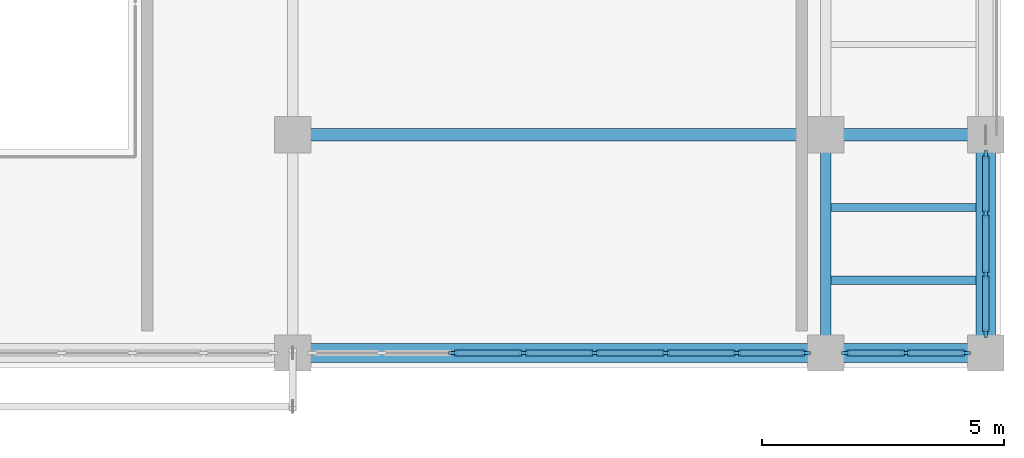
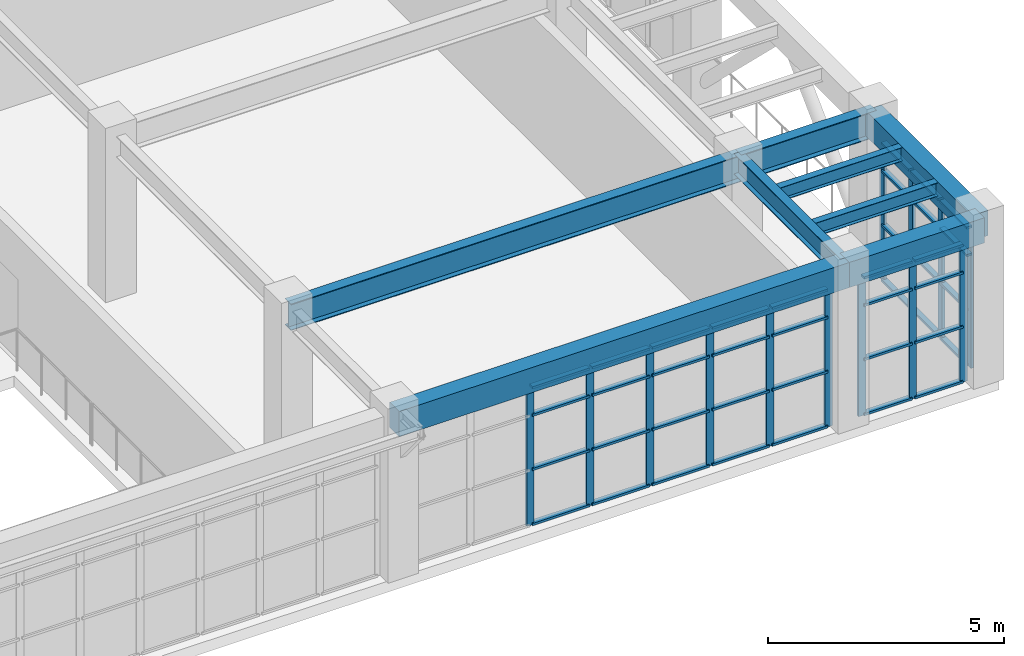
# One storey, part 39 of 85: 53 members, 8 beams, 3 elements without a shape of their own.
"""IFC4 building model written with IfcOpenShell, lengths in metres."""

from ifc_helpers import new_model, si_unit, direction, frame, origin, origin_2d, place, context, subcontext, project, spatial, rectangle, i_section, extrude, material, layer, layer_set, material_profile, profile_set, type_object, element, aggregate, save


model = new_model("IFC4")

# Units and contexts
model_context = context("Model", 3, precision=1e-05, world=origin(), true_north=direction((0.0, 1.0)))
body_context = subcontext(model_context, "Body", "Model", "MODEL_VIEW")
ifc_project = project(units=[si_unit("LENGTHUNIT", "METRE"), si_unit("AREAUNIT", "SQUARE_METRE"), si_unit("VOLUMEUNIT", "CUBIC_METRE"), si_unit("PLANEANGLEUNIT", "RADIAN"), si_unit("MASSUNIT", "GRAM", prefix="KILO")], contexts=[model_context])

# Site, building, storey
site_placement = place(None, origin())
site = spatial("IfcSite", under=ifc_project, at=site_placement, CompositionType="ELEMENT")
building_placement = place(site_placement, origin())
building = spatial("IfcBuilding", under=site, at=building_placement, Name="Candilejo Ridge Gondola Terminal", CompositionType="ELEMENT")
storey_placement = place(building_placement, frame((0.0, 0.0, 4.5)))
storey = spatial("IfcBuildingStorey", under=building, at=storey_placement, Name="L01", CompositionType="ELEMENT", Elevation=4.5)

# Curtain wall, members
ifc_material_1 = material(Name="Anodised aluminium AA 6063-T6", Category="aluminium")
ifc_layer_1 = layer(ifc_material_1, 0.169921875)
ifc_layer_set_1 = layer_set([ifc_layer_1], Name="ARC-CW-HALL-3800-375X359")
curtain_wall_type_1 = type_object("IfcCurtainWallType", Name="ARC-CW-HALL-3800-375X359", PredefinedType="NOTDEFINED", material=ifc_layer_set_1)
curtain_wall_1_placement = place(storey_placement, origin())
curtain_wall_1 = element("IfcCurtainWall", 1, at=curtain_wall_1_placement, inside=storey, type_object=curtain_wall_type_1, Name="Curtain wall V4 L01-111", PredefinedType="NOTDEFINED")
ifc_material_2 = material(Name="Anodised aluminium AA 6063-T6", Category="aluminium")
ifc_material_profile_1 = material_profile(ifc_material_2, rectangle(XDim=0.06494140625, YDim=0.179931640625, at=origin_2d()))
ifc_profile_set_1 = profile_set([ifc_material_profile_1], Name="Anodised aluminium AA 6063-T6")
member_type_1 = type_object("IfcMemberType", Name="ARC-CW-MULLION-180", PredefinedType="MULLION", material=ifc_profile_set_1)
member_1_placement = place(storey_placement, frame((175.300048828125, 6.70751953125, 0.0), z_axis=(0.0, 0.0, 1.0), x_axis=(-1.0, 0.0, 0.0)))
member_1 = element("IfcMember", 2, at=member_1_placement, type_object=member_type_1, Name="CW-37X35 mullion 1", PredefinedType="MULLION", context=body_context, shape_type="SweptSolid", body=[
    extrude(rectangle(XDim=0.06494140625, YDim=0.179931640625, at=origin_2d()), origin(), (0.0, 0.0, 1.0), 3.590087890625),
])
member_2_placement = place(storey_placement, frame((175.300048828125, 7.925048828125, 0.0), z_axis=(0.0, 0.0, 1.0), x_axis=(-1.0, 0.0, 0.0)))
member_2 = element("IfcMember", 3, at=member_2_placement, type_object=member_type_1, Name="CW-37X35 mullion 2", PredefinedType="MULLION", context=body_context, shape_type="SweptSolid", body=[
    extrude(rectangle(XDim=0.06494140625, YDim=0.179931640625, at=origin_2d()), origin(), (0.0, 0.0, 1.0), 3.590087890625),
])
member_3_placement = place(storey_placement, frame((175.300048828125, 9.175048828125, 0.0), z_axis=(0.0, 0.0, 1.0), x_axis=(-1.0, 0.0, 0.0)))
member_3 = element("IfcMember", 4, at=member_3_placement, type_object=member_type_1, Name="CW-37X35 mullion 3", PredefinedType="MULLION", context=body_context, shape_type="SweptSolid", body=[
    extrude(rectangle(XDim=0.06494140625, YDim=0.179931640625, at=origin_2d()), origin(), (0.0, 0.0, 1.0), 3.590087890625),
])
member_4_placement = place(storey_placement, frame((175.300048828125, 10.392578125, 0.0), z_axis=(0.0, 0.0, 1.0), x_axis=(-1.0, 0.0, 0.0)))
member_4 = element("IfcMember", 5, at=member_4_placement, type_object=member_type_1, Name="CW-37X35 mullion 4", PredefinedType="MULLION", context=body_context, shape_type="SweptSolid", body=[
    extrude(rectangle(XDim=0.06494140625, YDim=0.179931640625, at=origin_2d()), origin(), (0.0, 0.0, 1.0), 3.590087890625),
])

ifc_material_3 = material(Name="Anodised aluminium AA 6063-T6", Category="aluminium")
ifc_layer_2 = layer(ifc_material_3, 0.169921875)
ifc_layer_set_2 = layer_set([ifc_layer_2], Name="ARC-CW-HALL-3800-1025X359")
curtain_wall_type_2 = type_object("IfcCurtainWallType", Name="ARC-CW-HALL-3800-1025X359", PredefinedType="NOTDEFINED", material=ifc_layer_set_2)
curtain_wall_2_placement = place(storey_placement, origin())
curtain_wall_2 = element("IfcCurtainWall", 6, at=curtain_wall_2_placement, inside=storey, type_object=curtain_wall_type_2, Name="Curtain wall V4 L01-128", PredefinedType="NOTDEFINED")
member_5_placement = place(storey_placement, frame((164.303466796875, 6.300048828125, 0.0), z_axis=(0.0, 0.0, 1.0), x_axis=(0.0, 1.0, 0.0)))
member_5 = element("IfcMember", 7, at=member_5_placement, type_object=member_type_1, Name="CW-102X35 mullion 3", PredefinedType="MULLION", context=body_context, shape_type="SweptSolid", body=[
    extrude(rectangle(XDim=0.06494140625, YDim=0.179931640625, at=origin_2d()), origin(), (0.0, 0.0, 1.0), 3.590087890625),
])
member_6_placement = place(storey_placement, frame((165.767822265625, 6.300048828125, 0.0), z_axis=(0.0, 0.0, 1.0), x_axis=(0.0, 1.0, 0.0)))
member_6 = element("IfcMember", 8, at=member_6_placement, type_object=member_type_1, Name="CW-102X35 mullion 4", PredefinedType="MULLION", context=body_context, shape_type="SweptSolid", body=[
    extrude(rectangle(XDim=0.06494140625, YDim=0.179931640625, at=origin_2d()), origin(), (0.0, 0.0, 1.0), 3.590087890625),
])
member_7_placement = place(storey_placement, frame((167.232177734375, 6.300048828125, 0.0), z_axis=(0.0, 0.0, 1.0), x_axis=(0.0, 1.0, 0.0)))
member_7 = element("IfcMember", 9, at=member_7_placement, type_object=member_type_1, Name="CW-102X35 mullion 5", PredefinedType="MULLION", context=body_context, shape_type="SweptSolid", body=[
    extrude(rectangle(XDim=0.06494140625, YDim=0.179931640625, at=origin_2d()), origin(), (0.0, 0.0, 1.0), 3.590087890625),
])
member_8_placement = place(storey_placement, frame((168.696533203125, 6.300048828125, 0.0), z_axis=(0.0, 0.0, 1.0), x_axis=(0.0, 1.0, 0.0)))
member_8 = element("IfcMember", 10, at=member_8_placement, type_object=member_type_1, Name="CW-102X35 mullion 6", PredefinedType="MULLION", context=body_context, shape_type="SweptSolid", body=[
    extrude(rectangle(XDim=0.06494140625, YDim=0.179931640625, at=origin_2d()), origin(), (0.0, 0.0, 1.0), 3.590087890625),
])
member_9_placement = place(storey_placement, frame((170.16064453125, 6.300048828125, 0.0), z_axis=(0.0, 0.0, 1.0), x_axis=(0.0, 1.0, 0.0)))
member_9 = element("IfcMember", 11, at=member_9_placement, type_object=member_type_1, Name="CW-102X35 mullion 7", PredefinedType="MULLION", context=body_context, shape_type="SweptSolid", body=[
    extrude(rectangle(XDim=0.06494140625, YDim=0.179931640625, at=origin_2d()), origin(), (0.0, 0.0, 1.0), 3.590087890625),
])
member_10_placement = place(storey_placement, frame((171.592529296875, 6.300048828125, 0.0), z_axis=(0.0, 0.0, 1.0), x_axis=(0.0, 1.0, 0.0)))
member_10 = element("IfcMember", 12, at=member_10_placement, type_object=member_type_1, Name="CW-102X35 mullion 8", PredefinedType="MULLION", context=body_context, shape_type="SweptSolid", body=[
    extrude(rectangle(XDim=0.06494140625, YDim=0.179931640625, at=origin_2d()), origin(), (0.0, 0.0, 1.0), 3.590087890625),
])

ifc_material_4 = material(Name="Anodised aluminium AA 6063-T6", Category="aluminium")
ifc_layer_3 = layer(ifc_material_4, 0.169921875)
ifc_layer_set_3 = layer_set([ifc_layer_3], Name="ARC-CW-HALL-3800-255X359")
curtain_wall_type_3 = type_object("IfcCurtainWallType", Name="ARC-CW-HALL-3800-255X359", PredefinedType="NOTDEFINED", material=ifc_layer_set_3)
curtain_wall_3_placement = place(storey_placement, origin())
curtain_wall_3 = element("IfcCurtainWall", 13, at=curtain_wall_3_placement, inside=storey, type_object=curtain_wall_type_3, Name="Curtain wall V4 L01-130", PredefinedType="NOTDEFINED")
member_11_placement = place(storey_placement, frame((172.407470703125, 6.300048828125, 0.0), z_axis=(0.0, 0.0, 1.0), x_axis=(0.0, 1.0, 0.0)))
member_11 = element("IfcMember", 14, at=member_11_placement, type_object=member_type_1, Name="CW-25X35 mullion 1", PredefinedType="MULLION", context=body_context, shape_type="SweptSolid", body=[
    extrude(rectangle(XDim=0.06494140625, YDim=0.179931640625, at=origin_2d()), origin(), (0.0, 0.0, 1.0), 3.590087890625),
])
member_12_placement = place(storey_placement, frame((173.64990234375, 6.300048828125, 0.0), z_axis=(0.0, 0.0, 1.0), x_axis=(0.0, 1.0, 0.0)))
member_12 = element("IfcMember", 15, at=member_12_placement, type_object=member_type_1, Name="CW-25X35 mullion 2", PredefinedType="MULLION", context=body_context, shape_type="SweptSolid", body=[
    extrude(rectangle(XDim=0.06494140625, YDim=0.179931640625, at=origin_2d()), origin(), (0.0, 0.0, 1.0), 3.590087890625),
])
member_13_placement = place(storey_placement, frame((174.892578125, 6.300048828125, 0.0), z_axis=(0.0, 0.0, 1.0), x_axis=(0.0, 1.0, 0.0)))
member_13 = element("IfcMember", 16, at=member_13_placement, type_object=member_type_1, Name="CW-25X35 mullion 3", PredefinedType="MULLION", context=body_context, shape_type="SweptSolid", body=[
    extrude(rectangle(XDim=0.06494140625, YDim=0.179931640625, at=origin_2d()), origin(), (0.0, 0.0, 1.0), 3.590087890625),
])

# Member
ifc_material_5 = material(Name="Anodised aluminium AA 6063-T6", Category="aluminium")
ifc_material_profile_2 = material_profile(ifc_material_5, rectangle(XDim=0.1298828125, YDim=0.06005859375, at=origin_2d()))
ifc_profile_set_2 = profile_set([ifc_material_profile_2], Name="Anodised aluminium AA 6063-T6")
member_type_2 = type_object("IfcMemberType", Name="ARC-CW-TRANSOM-130", PredefinedType="USERDEFINED", material=ifc_profile_set_2)
member_14_placement = place(storey_placement, frame((175.300048828125, 6.739990234375, 0.030029296875), z_axis=(0.0, 1.0, 0.0), x_axis=(-1.0, 0.0, 0.0)))
member_14 = element("IfcMember", 17, at=member_14_placement, type_object=member_type_2, Name="CW-37X35 transom 1.1", ObjectType="TRANSOM", PredefinedType="USERDEFINED", context=body_context, shape_type="SweptSolid", body=[
    extrude(rectangle(XDim=0.1298828125, YDim=0.06005859375, at=origin_2d()), origin(), (0.0, 0.0, 1.0), 1.152587890625),
])

member_15_placement = place(storey_placement, frame((175.300048828125, 6.739990234375, 1.449951171875), z_axis=(0.0, 1.0, 0.0), x_axis=(-1.0, 0.0, 0.0)))
member_15 = element("IfcMember", 18, at=member_15_placement, type_object=member_type_2, Name="CW-37X35 transom 1.2", ObjectType="TRANSOM", PredefinedType="USERDEFINED", context=body_context, shape_type="SweptSolid", body=[
    extrude(rectangle(XDim=0.1298828125, YDim=0.06005859375, at=origin_2d()), origin(), (0.0, 0.0, 1.0), 1.152587890625),
])

member_16_placement = place(storey_placement, frame((175.300048828125, 6.739990234375, 2.85009765625), z_axis=(0.0, 1.0, 0.0), x_axis=(-1.0, 0.0, 0.0)))
member_16 = element("IfcMember", 19, at=member_16_placement, type_object=member_type_2, Name="CW-37X35 transom 1.3", ObjectType="TRANSOM", PredefinedType="USERDEFINED", context=body_context, shape_type="SweptSolid", body=[
    extrude(rectangle(XDim=0.1298828125, YDim=0.06005859375, at=origin_2d()), origin(), (0.0, 0.0, 1.0), 1.152587890625),
])

member_17_placement = place(storey_placement, frame((175.300048828125, 6.739990234375, 3.56005859375), z_axis=(0.0, 1.0, 0.0), x_axis=(-1.0, 0.0, 0.0)))
member_17 = element("IfcMember", 20, at=member_17_placement, type_object=member_type_2, Name="CW-37X35 transom 1.4", ObjectType="TRANSOM", PredefinedType="USERDEFINED", context=body_context, shape_type="SweptSolid", body=[
    extrude(rectangle(XDim=0.1298828125, YDim=0.06005859375, at=origin_2d()), origin(), (0.0, 0.0, 1.0), 1.152587890625),
])

member_18_placement = place(storey_placement, frame((175.300048828125, 7.95751953125, 0.030029296875), z_axis=(0.0, 1.0, 0.0), x_axis=(-1.0, 0.0, 0.0)))
member_18 = element("IfcMember", 21, at=member_18_placement, type_object=member_type_2, Name="CW-37X35 transom 2.1", ObjectType="TRANSOM", PredefinedType="USERDEFINED", context=body_context, shape_type="SweptSolid", body=[
    extrude(rectangle(XDim=0.1298828125, YDim=0.06005859375, at=origin_2d()), origin(), (0.0, 0.0, 1.0), 1.18505859375),
])

member_19_placement = place(storey_placement, frame((175.300048828125, 7.95751953125, 1.449951171875), z_axis=(0.0, 1.0, 0.0), x_axis=(-1.0, 0.0, 0.0)))
member_19 = element("IfcMember", 22, at=member_19_placement, type_object=member_type_2, Name="CW-37X35 transom 2.2", ObjectType="TRANSOM", PredefinedType="USERDEFINED", context=body_context, shape_type="SweptSolid", body=[
    extrude(rectangle(XDim=0.1298828125, YDim=0.06005859375, at=origin_2d()), origin(), (0.0, 0.0, 1.0), 1.18505859375),
])

member_20_placement = place(storey_placement, frame((175.300048828125, 7.95751953125, 2.85009765625), z_axis=(0.0, 1.0, 0.0), x_axis=(-1.0, 0.0, 0.0)))
member_20 = element("IfcMember", 23, at=member_20_placement, type_object=member_type_2, Name="CW-37X35 transom 2.3", ObjectType="TRANSOM", PredefinedType="USERDEFINED", context=body_context, shape_type="SweptSolid", body=[
    extrude(rectangle(XDim=0.1298828125, YDim=0.06005859375, at=origin_2d()), origin(), (0.0, 0.0, 1.0), 1.18505859375),
])

member_21_placement = place(storey_placement, frame((175.300048828125, 7.95751953125, 3.56005859375), z_axis=(0.0, 1.0, 0.0), x_axis=(-1.0, 0.0, 0.0)))
member_21 = element("IfcMember", 24, at=member_21_placement, type_object=member_type_2, Name="CW-37X35 transom 2.4", ObjectType="TRANSOM", PredefinedType="USERDEFINED", context=body_context, shape_type="SweptSolid", body=[
    extrude(rectangle(XDim=0.1298828125, YDim=0.06005859375, at=origin_2d()), origin(), (0.0, 0.0, 1.0), 1.18505859375),
])

member_22_placement = place(storey_placement, frame((175.300048828125, 9.20751953125, 0.030029296875), z_axis=(0.0, 1.0, 0.0), x_axis=(-1.0, 0.0, 0.0)))
member_22 = element("IfcMember", 25, at=member_22_placement, type_object=member_type_2, Name="CW-37X35 transom 3.1", ObjectType="TRANSOM", PredefinedType="USERDEFINED", context=body_context, shape_type="SweptSolid", body=[
    extrude(rectangle(XDim=0.1298828125, YDim=0.06005859375, at=origin_2d()), origin(), (0.0, 0.0, 1.0), 1.152587890625),
])

member_23_placement = place(storey_placement, frame((175.300048828125, 9.20751953125, 1.449951171875), z_axis=(0.0, 1.0, 0.0), x_axis=(-1.0, 0.0, 0.0)))
member_23 = element("IfcMember", 26, at=member_23_placement, type_object=member_type_2, Name="CW-37X35 transom 3.2", ObjectType="TRANSOM", PredefinedType="USERDEFINED", context=body_context, shape_type="SweptSolid", body=[
    extrude(rectangle(XDim=0.1298828125, YDim=0.06005859375, at=origin_2d()), origin(), (0.0, 0.0, 1.0), 1.152587890625),
])

member_24_placement = place(storey_placement, frame((175.300048828125, 9.20751953125, 2.85009765625), z_axis=(0.0, 1.0, 0.0), x_axis=(-1.0, 0.0, 0.0)))
member_24 = element("IfcMember", 27, at=member_24_placement, type_object=member_type_2, Name="CW-37X35 transom 3.3", ObjectType="TRANSOM", PredefinedType="USERDEFINED", context=body_context, shape_type="SweptSolid", body=[
    extrude(rectangle(XDim=0.1298828125, YDim=0.06005859375, at=origin_2d()), origin(), (0.0, 0.0, 1.0), 1.152587890625),
])

member_25_placement = place(storey_placement, frame((175.300048828125, 9.20751953125, 3.56005859375), z_axis=(0.0, 1.0, 0.0), x_axis=(-1.0, 0.0, 0.0)))
member_25 = element("IfcMember", 28, at=member_25_placement, type_object=member_type_2, Name="CW-37X35 transom 3.4", ObjectType="TRANSOM", PredefinedType="USERDEFINED", context=body_context, shape_type="SweptSolid", body=[
    extrude(rectangle(XDim=0.1298828125, YDim=0.06005859375, at=origin_2d()), origin(), (0.0, 0.0, 1.0), 1.152587890625),
])

aggregate(curtain_wall_1, [member_1, member_2, member_3, member_4, member_14, member_15, member_16, member_17, member_18, member_19, member_20, member_21, member_22, member_23, member_24, member_25])

member_26_placement = place(storey_placement, frame((164.336181640625, 6.300048828125, 0.030029296875), z_axis=(1.0, 0.0, 0.0), x_axis=(0.0, 1.0, 0.0)))
member_26 = element("IfcMember", 29, at=member_26_placement, type_object=member_type_2, Name="CW-102X35 transom 3.1", ObjectType="TRANSOM", PredefinedType="USERDEFINED", context=body_context, shape_type="SweptSolid", body=[
    extrude(rectangle(XDim=0.1298828125, YDim=0.06005859375, at=origin_2d()), origin(), (0.0, 0.0, 1.0), 1.399169921875),
])

member_27_placement = place(storey_placement, frame((164.336181640625, 6.300048828125, 1.449951171875), z_axis=(1.0, 0.0, 0.0), x_axis=(0.0, 1.0, 0.0)))
member_27 = element("IfcMember", 30, at=member_27_placement, type_object=member_type_2, Name="CW-102X35 transom 3.2", ObjectType="TRANSOM", PredefinedType="USERDEFINED", context=body_context, shape_type="SweptSolid", body=[
    extrude(rectangle(XDim=0.1298828125, YDim=0.06005859375, at=origin_2d()), origin(), (0.0, 0.0, 1.0), 1.399169921875),
])

member_28_placement = place(storey_placement, frame((164.336181640625, 6.300048828125, 2.85009765625), z_axis=(1.0, 0.0, 0.0), x_axis=(0.0, 1.0, 0.0)))
member_28 = element("IfcMember", 31, at=member_28_placement, type_object=member_type_2, Name="CW-102X35 transom 3.3", ObjectType="TRANSOM", PredefinedType="USERDEFINED", context=body_context, shape_type="SweptSolid", body=[
    extrude(rectangle(XDim=0.1298828125, YDim=0.06005859375, at=origin_2d()), origin(), (0.0, 0.0, 1.0), 1.399169921875),
])

member_29_placement = place(storey_placement, frame((164.336181640625, 6.300048828125, 3.56005859375), z_axis=(1.0, 0.0, 0.0), x_axis=(0.0, 1.0, 0.0)))
member_29 = element("IfcMember", 32, at=member_29_placement, type_object=member_type_2, Name="CW-102X35 transom 3.4", ObjectType="TRANSOM", PredefinedType="USERDEFINED", context=body_context, shape_type="SweptSolid", body=[
    extrude(rectangle(XDim=0.1298828125, YDim=0.06005859375, at=origin_2d()), origin(), (0.0, 0.0, 1.0), 1.399169921875),
])

member_30_placement = place(storey_placement, frame((165.80029296875, 6.300048828125, 0.030029296875), z_axis=(1.0, 0.0, 0.0), x_axis=(0.0, 1.0, 0.0)))
member_30 = element("IfcMember", 33, at=member_30_placement, type_object=member_type_2, Name="CW-102X35 transom 4.1", ObjectType="TRANSOM", PredefinedType="USERDEFINED", context=body_context, shape_type="SweptSolid", body=[
    extrude(rectangle(XDim=0.1298828125, YDim=0.06005859375, at=origin_2d()), origin(), (0.0, 0.0, 1.0), 1.3994140625),
])

member_31_placement = place(storey_placement, frame((165.80029296875, 6.300048828125, 1.449951171875), z_axis=(1.0, 0.0, 0.0), x_axis=(0.0, 1.0, 0.0)))
member_31 = element("IfcMember", 34, at=member_31_placement, type_object=member_type_2, Name="CW-102X35 transom 4.2", ObjectType="TRANSOM", PredefinedType="USERDEFINED", context=body_context, shape_type="SweptSolid", body=[
    extrude(rectangle(XDim=0.1298828125, YDim=0.06005859375, at=origin_2d()), origin(), (0.0, 0.0, 1.0), 1.3994140625),
])

member_32_placement = place(storey_placement, frame((165.80029296875, 6.300048828125, 2.85009765625), z_axis=(1.0, 0.0, 0.0), x_axis=(0.0, 1.0, 0.0)))
member_32 = element("IfcMember", 35, at=member_32_placement, type_object=member_type_2, Name="CW-102X35 transom 4.3", ObjectType="TRANSOM", PredefinedType="USERDEFINED", context=body_context, shape_type="SweptSolid", body=[
    extrude(rectangle(XDim=0.1298828125, YDim=0.06005859375, at=origin_2d()), origin(), (0.0, 0.0, 1.0), 1.3994140625),
])

member_33_placement = place(storey_placement, frame((165.80029296875, 6.300048828125, 3.56005859375), z_axis=(1.0, 0.0, 0.0), x_axis=(0.0, 1.0, 0.0)))
member_33 = element("IfcMember", 36, at=member_33_placement, type_object=member_type_2, Name="CW-102X35 transom 4.4", ObjectType="TRANSOM", PredefinedType="USERDEFINED", context=body_context, shape_type="SweptSolid", body=[
    extrude(rectangle(XDim=0.1298828125, YDim=0.06005859375, at=origin_2d()), origin(), (0.0, 0.0, 1.0), 1.3994140625),
])

member_34_placement = place(storey_placement, frame((167.2646484375, 6.300048828125, 0.030029296875), z_axis=(1.0, 0.0, 0.0), x_axis=(0.0, 1.0, 0.0)))
member_34 = element("IfcMember", 37, at=member_34_placement, type_object=member_type_2, Name="CW-102X35 transom 5.1", ObjectType="TRANSOM", PredefinedType="USERDEFINED", context=body_context, shape_type="SweptSolid", body=[
    extrude(rectangle(XDim=0.1298828125, YDim=0.06005859375, at=origin_2d()), origin(), (0.0, 0.0, 1.0), 1.399169921875),
])

member_35_placement = place(storey_placement, frame((167.2646484375, 6.300048828125, 1.449951171875), z_axis=(1.0, 0.0, 0.0), x_axis=(0.0, 1.0, 0.0)))
member_35 = element("IfcMember", 38, at=member_35_placement, type_object=member_type_2, Name="CW-102X35 transom 5.2", ObjectType="TRANSOM", PredefinedType="USERDEFINED", context=body_context, shape_type="SweptSolid", body=[
    extrude(rectangle(XDim=0.1298828125, YDim=0.06005859375, at=origin_2d()), origin(), (0.0, 0.0, 1.0), 1.399169921875),
])

member_36_placement = place(storey_placement, frame((167.2646484375, 6.300048828125, 2.85009765625), z_axis=(1.0, 0.0, 0.0), x_axis=(0.0, 1.0, 0.0)))
member_36 = element("IfcMember", 39, at=member_36_placement, type_object=member_type_2, Name="CW-102X35 transom 5.3", ObjectType="TRANSOM", PredefinedType="USERDEFINED", context=body_context, shape_type="SweptSolid", body=[
    extrude(rectangle(XDim=0.1298828125, YDim=0.06005859375, at=origin_2d()), origin(), (0.0, 0.0, 1.0), 1.399169921875),
])

member_37_placement = place(storey_placement, frame((167.2646484375, 6.300048828125, 3.56005859375), z_axis=(1.0, 0.0, 0.0), x_axis=(0.0, 1.0, 0.0)))
member_37 = element("IfcMember", 40, at=member_37_placement, type_object=member_type_2, Name="CW-102X35 transom 5.4", ObjectType="TRANSOM", PredefinedType="USERDEFINED", context=body_context, shape_type="SweptSolid", body=[
    extrude(rectangle(XDim=0.1298828125, YDim=0.06005859375, at=origin_2d()), origin(), (0.0, 0.0, 1.0), 1.399169921875),
])

member_38_placement = place(storey_placement, frame((168.72900390625, 6.300048828125, 0.030029296875), z_axis=(1.0, 0.0, 0.0), x_axis=(0.0, 1.0, 0.0)))
member_38 = element("IfcMember", 41, at=member_38_placement, type_object=member_type_2, Name="CW-102X35 transom 6.1", ObjectType="TRANSOM", PredefinedType="USERDEFINED", context=body_context, shape_type="SweptSolid", body=[
    extrude(rectangle(XDim=0.1298828125, YDim=0.06005859375, at=origin_2d()), origin(), (0.0, 0.0, 1.0), 1.399169921875),
])

member_39_placement = place(storey_placement, frame((168.72900390625, 6.300048828125, 1.449951171875), z_axis=(1.0, 0.0, 0.0), x_axis=(0.0, 1.0, 0.0)))
member_39 = element("IfcMember", 42, at=member_39_placement, type_object=member_type_2, Name="CW-102X35 transom 6.2", ObjectType="TRANSOM", PredefinedType="USERDEFINED", context=body_context, shape_type="SweptSolid", body=[
    extrude(rectangle(XDim=0.1298828125, YDim=0.06005859375, at=origin_2d()), origin(), (0.0, 0.0, 1.0), 1.399169921875),
])

member_40_placement = place(storey_placement, frame((168.72900390625, 6.300048828125, 2.85009765625), z_axis=(1.0, 0.0, 0.0), x_axis=(0.0, 1.0, 0.0)))
member_40 = element("IfcMember", 43, at=member_40_placement, type_object=member_type_2, Name="CW-102X35 transom 6.3", ObjectType="TRANSOM", PredefinedType="USERDEFINED", context=body_context, shape_type="SweptSolid", body=[
    extrude(rectangle(XDim=0.1298828125, YDim=0.06005859375, at=origin_2d()), origin(), (0.0, 0.0, 1.0), 1.399169921875),
])

member_41_placement = place(storey_placement, frame((168.72900390625, 6.300048828125, 3.56005859375), z_axis=(1.0, 0.0, 0.0), x_axis=(0.0, 1.0, 0.0)))
member_41 = element("IfcMember", 44, at=member_41_placement, type_object=member_type_2, Name="CW-102X35 transom 6.4", ObjectType="TRANSOM", PredefinedType="USERDEFINED", context=body_context, shape_type="SweptSolid", body=[
    extrude(rectangle(XDim=0.1298828125, YDim=0.06005859375, at=origin_2d()), origin(), (0.0, 0.0, 1.0), 1.399169921875),
])

member_42_placement = place(storey_placement, frame((170.193115234375, 6.300048828125, 0.030029296875), z_axis=(1.0, 0.0, 0.0), x_axis=(0.0, 1.0, 0.0)))
member_42 = element("IfcMember", 45, at=member_42_placement, type_object=member_type_2, Name="CW-102X35 transom 7.1", ObjectType="TRANSOM", PredefinedType="USERDEFINED", context=body_context, shape_type="SweptSolid", body=[
    extrude(rectangle(XDim=0.1298828125, YDim=0.06005859375, at=origin_2d()), origin(), (0.0, 0.0, 1.0), 1.366943359375),
])

member_43_placement = place(storey_placement, frame((170.193115234375, 6.300048828125, 1.449951171875), z_axis=(1.0, 0.0, 0.0), x_axis=(0.0, 1.0, 0.0)))
member_43 = element("IfcMember", 46, at=member_43_placement, type_object=member_type_2, Name="CW-102X35 transom 7.2", ObjectType="TRANSOM", PredefinedType="USERDEFINED", context=body_context, shape_type="SweptSolid", body=[
    extrude(rectangle(XDim=0.1298828125, YDim=0.06005859375, at=origin_2d()), origin(), (0.0, 0.0, 1.0), 1.366943359375),
])

member_44_placement = place(storey_placement, frame((170.193115234375, 6.300048828125, 2.85009765625), z_axis=(1.0, 0.0, 0.0), x_axis=(0.0, 1.0, 0.0)))
member_44 = element("IfcMember", 47, at=member_44_placement, type_object=member_type_2, Name="CW-102X35 transom 7.3", ObjectType="TRANSOM", PredefinedType="USERDEFINED", context=body_context, shape_type="SweptSolid", body=[
    extrude(rectangle(XDim=0.1298828125, YDim=0.06005859375, at=origin_2d()), origin(), (0.0, 0.0, 1.0), 1.366943359375),
])

member_45_placement = place(storey_placement, frame((170.193115234375, 6.300048828125, 3.56005859375), z_axis=(1.0, 0.0, 0.0), x_axis=(0.0, 1.0, 0.0)))
member_45 = element("IfcMember", 48, at=member_45_placement, type_object=member_type_2, Name="CW-102X35 transom 7.4", ObjectType="TRANSOM", PredefinedType="USERDEFINED", context=body_context, shape_type="SweptSolid", body=[
    extrude(rectangle(XDim=0.1298828125, YDim=0.06005859375, at=origin_2d()), origin(), (0.0, 0.0, 1.0), 1.366943359375),
])

aggregate(curtain_wall_2, [member_5, member_6, member_7, member_8, member_9, member_10, member_26, member_27, member_28, member_29, member_30, member_31, member_32, member_33, member_34, member_35, member_36, member_37, member_38, member_39, member_40, member_41, member_42, member_43, member_44, member_45])

member_46_placement = place(storey_placement, frame((172.43994140625, 6.300048828125, 0.030029296875), z_axis=(1.0, 0.0, 0.0), x_axis=(0.0, 1.0, 0.0)))
member_46 = element("IfcMember", 49, at=member_46_placement, type_object=member_type_2, Name="CW-25X35 transom 1.1", ObjectType="TRANSOM", PredefinedType="USERDEFINED", context=body_context, shape_type="SweptSolid", body=[
    extrude(rectangle(XDim=0.1298828125, YDim=0.06005859375, at=origin_2d()), origin(), (0.0, 0.0, 1.0), 1.177490234375),
])

member_47_placement = place(storey_placement, frame((172.43994140625, 6.300048828125, 1.449951171875), z_axis=(1.0, 0.0, 0.0), x_axis=(0.0, 1.0, 0.0)))
member_47 = element("IfcMember", 50, at=member_47_placement, type_object=member_type_2, Name="CW-25X35 transom 1.2", ObjectType="TRANSOM", PredefinedType="USERDEFINED", context=body_context, shape_type="SweptSolid", body=[
    extrude(rectangle(XDim=0.1298828125, YDim=0.06005859375, at=origin_2d()), origin(), (0.0, 0.0, 1.0), 1.177490234375),
])

member_48_placement = place(storey_placement, frame((172.43994140625, 6.300048828125, 2.85009765625), z_axis=(1.0, 0.0, 0.0), x_axis=(0.0, 1.0, 0.0)))
member_48 = element("IfcMember", 51, at=member_48_placement, type_object=member_type_2, Name="CW-25X35 transom 1.3", ObjectType="TRANSOM", PredefinedType="USERDEFINED", context=body_context, shape_type="SweptSolid", body=[
    extrude(rectangle(XDim=0.1298828125, YDim=0.06005859375, at=origin_2d()), origin(), (0.0, 0.0, 1.0), 1.177490234375),
])

member_49_placement = place(storey_placement, frame((172.43994140625, 6.300048828125, 3.56005859375), z_axis=(1.0, 0.0, 0.0), x_axis=(0.0, 1.0, 0.0)))
member_49 = element("IfcMember", 52, at=member_49_placement, type_object=member_type_2, Name="CW-25X35 transom 1.4", ObjectType="TRANSOM", PredefinedType="USERDEFINED", context=body_context, shape_type="SweptSolid", body=[
    extrude(rectangle(XDim=0.1298828125, YDim=0.06005859375, at=origin_2d()), origin(), (0.0, 0.0, 1.0), 1.177490234375),
])

member_50_placement = place(storey_placement, frame((173.6826171875, 6.300048828125, 0.030029296875), z_axis=(1.0, 0.0, 0.0), x_axis=(0.0, 1.0, 0.0)))
member_50 = element("IfcMember", 53, at=member_50_placement, type_object=member_type_2, Name="CW-25X35 transom 2.1", ObjectType="TRANSOM", PredefinedType="USERDEFINED", context=body_context, shape_type="SweptSolid", body=[
    extrude(rectangle(XDim=0.1298828125, YDim=0.06005859375, at=origin_2d()), origin(), (0.0, 0.0, 1.0), 1.177490234375),
])

member_51_placement = place(storey_placement, frame((173.6826171875, 6.300048828125, 1.449951171875), z_axis=(1.0, 0.0, 0.0), x_axis=(0.0, 1.0, 0.0)))
member_51 = element("IfcMember", 54, at=member_51_placement, type_object=member_type_2, Name="CW-25X35 transom 2.2", ObjectType="TRANSOM", PredefinedType="USERDEFINED", context=body_context, shape_type="SweptSolid", body=[
    extrude(rectangle(XDim=0.1298828125, YDim=0.06005859375, at=origin_2d()), origin(), (0.0, 0.0, 1.0), 1.177490234375),
])

member_52_placement = place(storey_placement, frame((173.6826171875, 6.300048828125, 2.85009765625), z_axis=(1.0, 0.0, 0.0), x_axis=(0.0, 1.0, 0.0)))
member_52 = element("IfcMember", 55, at=member_52_placement, type_object=member_type_2, Name="CW-25X35 transom 2.3", ObjectType="TRANSOM", PredefinedType="USERDEFINED", context=body_context, shape_type="SweptSolid", body=[
    extrude(rectangle(XDim=0.1298828125, YDim=0.06005859375, at=origin_2d()), origin(), (0.0, 0.0, 1.0), 1.177490234375),
])

member_53_placement = place(storey_placement, frame((173.6826171875, 6.300048828125, 3.56005859375), z_axis=(1.0, 0.0, 0.0), x_axis=(0.0, 1.0, 0.0)))
member_53 = element("IfcMember", 56, at=member_53_placement, type_object=member_type_2, Name="CW-25X35 transom 2.4", ObjectType="TRANSOM", PredefinedType="USERDEFINED", context=body_context, shape_type="SweptSolid", body=[
    extrude(rectangle(XDim=0.1298828125, YDim=0.06005859375, at=origin_2d()), origin(), (0.0, 0.0, 1.0), 1.177490234375),
])

aggregate(curtain_wall_3, [member_11, member_12, member_13, member_46, member_47, member_48, member_49, member_50, member_51, member_52, member_53])

# Beams
ifc_material_6 = material(Name="Steel ASTM A992 Grade 50", Category="steel")
ifc_material_profile_3 = material_profile(ifc_material_6, i_section(OverallWidth=0.2109375, OverallDepth=0.5390625, WebThickness=0.01171875, FlangeThickness=0.018798828125, at=origin_2d()))
ifc_profile_set_3 = profile_set([ifc_material_profile_3], Name="Steel ASTM A992 Grade 50")
beam_type_1 = type_object("IfcBeamType", Name="STR-BM-W530X109", PredefinedType="BEAM", material=ifc_profile_set_3)
beam_1_placement = place(storey_placement, frame((172.0, 6.300048828125, 3.930419921875), z_axis=(0.0, 1.0, 0.0), x_axis=(-1.0, 0.0, 0.0)))
element("IfcBeam", 57, at=beam_1_placement, inside=storey, type_object=beam_type_1, Name="Beam Y V4 L01 Y01-Y02@X26", PredefinedType="BEAM", context=body_context, shape_type="SweptSolid", body=[
    extrude(i_section(OverallWidth=0.2109375, OverallDepth=0.5390625, WebThickness=0.01171875, FlangeThickness=0.018798828125, at=origin_2d()), origin(), (0.0, 0.0, 1.0), 4.5),
])
ifc_material_7 = material(Name="Steel ASTM A992 Grade 50", Category="steel")
ifc_material_profile_4 = material_profile(ifc_material_7, i_section(OverallWidth=0.25390625, OverallDepth=0.68408203125, WebThickness=0.012451171875, FlangeThickness=0.018798828125, at=origin_2d()))
ifc_profile_set_4 = profile_set([ifc_material_profile_4], Name="Steel ASTM A992 Grade 50")
beam_type_2 = type_object("IfcBeamType", Name="STR-BM-W690X140", PredefinedType="BEAM", material=ifc_profile_set_4)
beam_2_placement = place(storey_placement, frame((161.0, 10.800048828125, 3.85791015625), z_axis=(1.0, 0.0, 0.0), x_axis=(0.0, 1.0, 0.0)))
element("IfcBeam", 58, at=beam_2_placement, inside=storey, type_object=beam_type_2, Name="Beam X V4 L01 X24-X26@Y02", PredefinedType="BEAM", context=body_context, shape_type="SweptSolid", body=[
    extrude(i_section(OverallWidth=0.25390625, OverallDepth=0.68408203125, WebThickness=0.012451171875, FlangeThickness=0.018798828125, at=origin_2d()), origin(), (0.0, 0.0, 1.0), 11.0),
])
beam_3_placement = place(storey_placement, frame((172.0, 10.800048828125, 3.85791015625), z_axis=(1.0, 0.0, 0.0), x_axis=(0.0, 1.0, 0.0)))
element("IfcBeam", 59, at=beam_3_placement, inside=storey, type_object=beam_type_2, Name="Beam X V4 L01 X26-X27@Y02", PredefinedType="BEAM", context=body_context, shape_type="SweptSolid", body=[
    extrude(i_section(OverallWidth=0.25390625, OverallDepth=0.68408203125, WebThickness=0.012451171875, FlangeThickness=0.018798828125, at=origin_2d()), origin(), (0.0, 0.0, 1.0), 3.300048828125),
])
ifc_material_8 = material(Name="Steel ASTM A992 Grade 50", Category="steel")
ifc_material_profile_5 = material_profile(ifc_material_8, i_section(OverallWidth=0.1708984375, OverallDepth=0.35205078125, WebThickness=0.0068359375, FlangeThickness=0.009765625, at=origin_2d()))
ifc_profile_set_5 = profile_set([ifc_material_profile_5], Name="Steel ASTM A992 Grade 50")
beam_type_3 = type_object("IfcBeamType", Name="STR-JST-W360X44", PredefinedType="JOIST", material=ifc_profile_set_5)
for number, where, z_axis, x_axis, name in (
    (60, (172.10546875, 7.800048828125, 4.02392578125), (1.0, 0.0, 0.0), (0.0, 1.0, 0.0), "Composite joist V4 L01-0904"),
    (61, (172.10546875, 9.300048828125, 4.02392578125), (1.0, 0.0, 0.0), (0.0, 1.0, 0.0), "Composite joist V4 L01-0905"),
):
    element("IfcBeam", number, at=place(storey_placement, frame(where, z_axis=z_axis, x_axis=x_axis)), inside=storey, type_object=beam_type_3, Name=name, PredefinedType="JOIST", context=body_context, shape_type="SweptSolid", body=[
        extrude(i_section(OverallWidth=0.1708984375, OverallDepth=0.35205078125, WebThickness=0.0068359375, FlangeThickness=0.009765625, at=origin_2d()), origin(), (0.0, 0.0, 1.0), 2.99462890625),
    ])
ifc_material_9 = material(Name="Concrete f'c 35 MPa (C35/45)", Category="concrete")
ifc_material_profile_6 = material_profile(ifc_material_9, rectangle(XDim=0.39990234375, YDim=0.64990234375, at=origin_2d()))
ifc_profile_set_6 = profile_set([ifc_material_profile_6], Name="Concrete f'c 35 MPa (C35/45)")
beam_type_4 = type_object("IfcBeamType", Name="STR-SPN-RC400X650", PredefinedType="SPANDREL", material=ifc_profile_set_6)
beam_4_placement = place(storey_placement, frame((161.0, 6.300048828125, 3.875), z_axis=(1.0, 0.0, 0.0), x_axis=(0.0, 1.0, 0.0)))
element("IfcBeam", 62, at=beam_4_placement, inside=storey, type_object=beam_type_4, Name="Beam X V4 L01 X24-X26@Y01", PredefinedType="SPANDREL", context=body_context, shape_type="SweptSolid", body=[
    extrude(rectangle(XDim=0.39990234375, YDim=0.64990234375, at=origin_2d()), origin(), (0.0, 0.0, 1.0), 11.0),
])
beam_5_placement = place(storey_placement, frame((172.0, 6.300048828125, 3.875), z_axis=(1.0, 0.0, 0.0), x_axis=(0.0, 1.0, 0.0)))
element("IfcBeam", 63, at=beam_5_placement, inside=storey, type_object=beam_type_4, Name="Beam X V4 L01 X26-X27@Y01", PredefinedType="SPANDREL", context=body_context, shape_type="SweptSolid", body=[
    extrude(rectangle(XDim=0.39990234375, YDim=0.64990234375, at=origin_2d()), origin(), (0.0, 0.0, 1.0), 3.300048828125),
])
beam_6_placement = place(storey_placement, frame((175.300048828125, 6.300048828125, 3.875), z_axis=(0.0, 1.0, 0.0), x_axis=(-1.0, 0.0, 0.0)))
element("IfcBeam", 64, at=beam_6_placement, inside=storey, type_object=beam_type_4, Name="Beam Y V4 L01 Y01-Y02@X27", PredefinedType="SPANDREL", context=body_context, shape_type="SweptSolid", body=[
    extrude(rectangle(XDim=0.39990234375, YDim=0.64990234375, at=origin_2d()), origin(), (0.0, 0.0, 1.0), 4.5),
])

save(model, "model.ifc")
